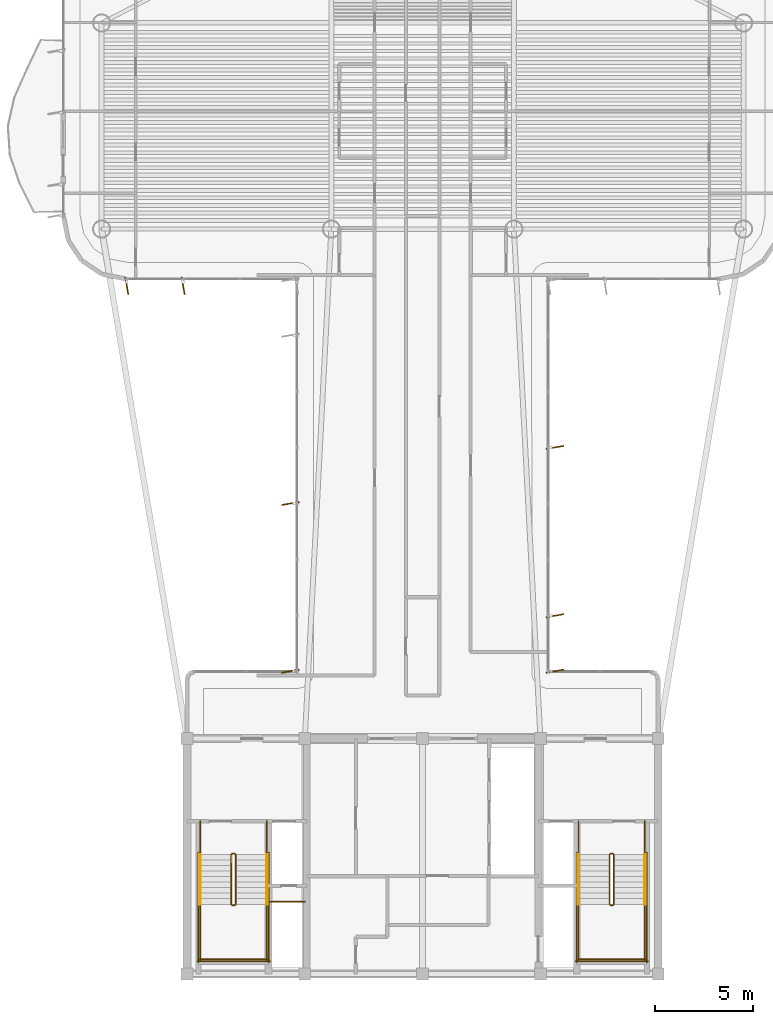
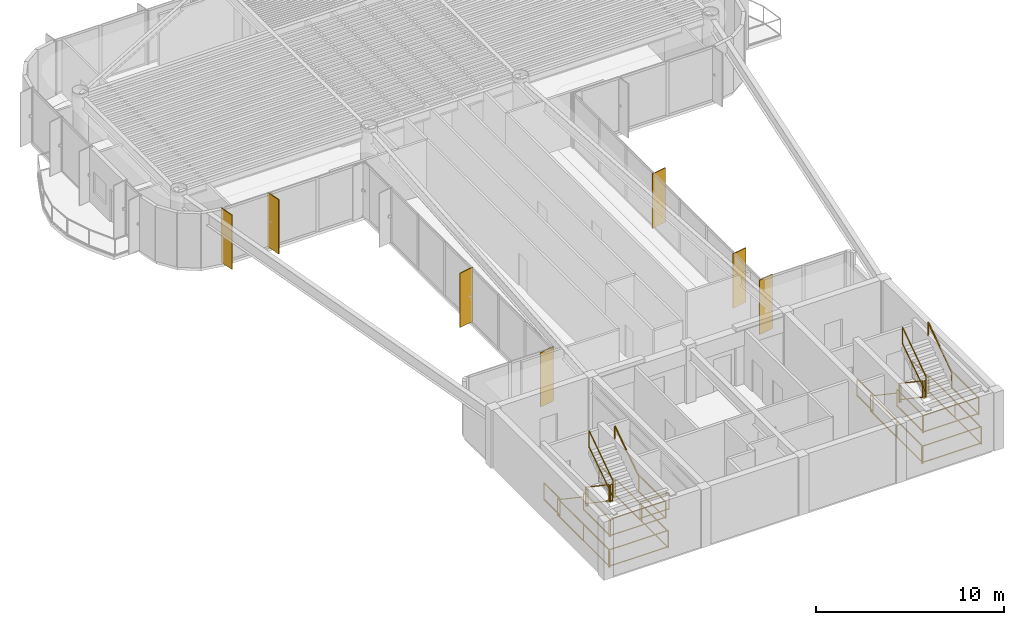
# One storey, part 15 of 16: 29 railings, 7 shading devices.
"""IFC4 building model written with IfcOpenShell, lengths in metres."""

import ifcopenshell
import ifcopenshell.guid

model = None  # the IFC model being written
_history = None  # IfcOwnerHistory: only IFC2X3 demands one
_inside = {}  # id of a spatial element -> (the spatial element, [elements in it])
_under = {}  # id of a project, library or spatial element -> (it, [spatial elements below it])
_declared = {}  # id of a project -> (the project, [libraries it declares])
_typed = {}  # id of a type object -> (the type object, [elements of that type])
_made_of = {}  # id of a material, layer set ... -> (it, [elements and type objects made of it])


def new_model(schema):
    """Start an empty IFC model of exactly this schema.

    Asked for "IFC4X3", IfcOpenShell would pick the latest addendum, in which some entities
    have other attributes; the version numbers below select the first issue.
    IFC2X3 requires an IfcOwnerHistory on every rooted entity: one is made here for all.
    """
    global model, _history
    if schema == "IFC4X3":
        model = ifcopenshell.file(schema_version=(4, 3, 0, 0))
    else:
        model = ifcopenshell.file(schema=schema)
    _inside.clear()
    _under.clear()
    _declared.clear()
    _typed.clear()
    _made_of.clear()
    _history = None
    if model.schema == "IFC2X3":
        org = make("IfcOrganization", Name="unknown")
        user = make(
            "IfcPersonAndOrganization",
            ThePerson=make("IfcPerson", FamilyName="unknown"),
            TheOrganization=org,
        )
        app = make(
            "IfcApplication",
            ApplicationDeveloper=org,
            Version="unknown",
            ApplicationFullName="unknown",
            ApplicationIdentifier="unknown",
        )
        _history = make(
            "IfcOwnerHistory",
            OwningUser=user,
            OwningApplication=app,
            ChangeAction="ADDED",
            CreationDate=0,
        )
    return model


def make(cls, **values):
    """One entity of the class cls with the attributes given. An attribute that is None is left unset."""
    return model.create_entity(
        cls, **{name: value for name, value in values.items() if value is not None}
    )


def rooted(cls, **values):
    """An entity with a GlobalId (a new one), such as an element, a storey or a relation."""
    return make(cls, GlobalId=ifcopenshell.guid.new(), OwnerHistory=_history, **values)


def si_unit(unit_type, name, prefix=None):
    """IfcSIUnit, for example si_unit("LENGTHUNIT", "METRE", prefix="MILLI")."""
    return make("IfcSIUnit", UnitType=unit_type, Prefix=prefix, Name=name)


def assignment(units):
    """IfcUnitAssignment: the units of a project."""
    return None if units is None else make("IfcUnitAssignment", Units=units)


def point(xyz):
    """IfcCartesianPoint."""
    return None if xyz is None else make("IfcCartesianPoint", Coordinates=xyz)


def direction(xyz):
    """IfcDirection."""
    return None if xyz is None else make("IfcDirection", DirectionRatios=xyz)


def frame(location, z_axis=None, x_axis=None):
    """IfcAxis2Placement3D, a coordinate frame: its origin and axes. An axis left out is left unset."""
    return make(
        "IfcAxis2Placement3D",
        Location=point(location),
        Axis=direction(z_axis),
        RefDirection=direction(x_axis),
    )


def frame_2d(location, x_axis=None):
    """IfcAxis2Placement2D, a coordinate frame in the plane: its origin and x axis."""
    return make(
        "IfcAxis2Placement2D", Location=point(location), RefDirection=direction(x_axis)
    )


def origin():
    """The frame at (0, 0, 0) with its axes left unset."""
    return frame((0.0, 0.0, 0.0))


def origin_2d():
    """The frame at (0, 0) in the plane with its x axis left unset."""
    return frame_2d((0.0, 0.0))


def place(relative_to, where):
    """IfcLocalPlacement: puts the frame where relative to a parent placement (None: the world)."""
    return make(
        "IfcLocalPlacement", PlacementRelTo=relative_to, RelativePlacement=where
    )


def context(
    kind, dimensions, precision=None, world=None, true_north=None, identifier=None
):
    """IfcGeometricRepresentationContext, for example the 3D "Model" context."""
    return make(
        "IfcGeometricRepresentationContext",
        ContextIdentifier=identifier,
        ContextType=kind,
        CoordinateSpaceDimension=dimensions,
        Precision=precision,
        WorldCoordinateSystem=world,
        TrueNorth=true_north,
    )


def subcontext(parent, identifier, kind, view, scale=None):
    """IfcGeometricRepresentationSubContext, for example "Body" below "Model"."""
    return make(
        "IfcGeometricRepresentationSubContext",
        ContextIdentifier=identifier,
        ContextType=kind,
        ParentContext=parent,
        TargetScale=scale,
        TargetView=view,
    )


def project(units=None, contexts=None):
    """IfcProject with its units and contexts."""
    return rooted(
        "IfcProject",
        Name="project",
        RepresentationContexts=contexts,
        UnitsInContext=assignment(units),
    )


def spatial(cls, under=None, at=None, **own):
    """A site, building, storey or space (cls), placed at a placement, below another one or the project."""
    s = rooted(cls, ObjectPlacement=at, **own)
    if under is not None:
        _under.setdefault(under.id(), (under, []))[1].append(s)
    return s


def profile(cls, at=None, kind="AREA", **sizes):
    """A parametric profile (cls). Its sizes go by their IFC names, for example OverallWidth=200.0."""
    return make(cls, ProfileType=kind, Position=at, **sizes)


def rectangle(**sizes):
    """IfcRectangleProfileDef."""
    return profile("IfcRectangleProfileDef", **sizes)


def extrude(swept, where, along, depth):
    """IfcExtrudedAreaSolid: the profile swept, set in the frame where, extruded along a direction by depth."""
    return make(
        "IfcExtrudedAreaSolid",
        SweptArea=swept,
        Position=where,
        ExtrudedDirection=direction(along),
        Depth=depth,
    )


def shape(context_of_items, identifier, shape_type, items):
    """IfcShapeRepresentation: the items that make up one representation, for example the "Body"."""
    return make(
        "IfcShapeRepresentation",
        ContextOfItems=context_of_items,
        RepresentationIdentifier=identifier,
        RepresentationType=shape_type,
        Items=items,
    )


def source(mapping_origin, context_of_items, identifier, shape_type, items):
    """IfcRepresentationMap: a shape defined once, which mapped items show again and again."""
    return make(
        "IfcRepresentationMap",
        MappingOrigin=mapping_origin,
        MappedRepresentation=shape(context_of_items, identifier, shape_type, items),
    )


def transform(
    local_origin,
    x_axis=None,
    y_axis=None,
    z_axis=None,
    scale=None,
    scale2=None,
    scale3=None,
    uniform=True,
):
    """IfcCartesianTransformationOperator3D, or its non-uniform kind. x_axis, y_axis, z_axis: its Axis1, 2, 3."""
    if uniform:
        return make(
            "IfcCartesianTransformationOperator3D",
            Axis1=direction(x_axis),
            Axis2=direction(y_axis),
            LocalOrigin=point(local_origin),
            Scale=scale,
            Axis3=direction(z_axis),
        )
    return make(
        "IfcCartesianTransformationOperator3DnonUniform",
        Axis1=direction(x_axis),
        Axis2=direction(y_axis),
        LocalOrigin=point(local_origin),
        Scale=scale,
        Axis3=direction(z_axis),
        Scale2=scale2,
        Scale3=scale3,
    )


def mapped(mapping_source, mapping_target):
    """IfcMappedItem: shows the shape of a source again, moved by a transform."""
    return make(
        "IfcMappedItem", MappingSource=mapping_source, MappingTarget=mapping_target
    )


def material(Name=None, Category=None):
    """IfcMaterial."""
    return make("IfcMaterial", Name=Name, Category=Category)


def layer(
    of_material, thickness, ventilated=None, Name=None, Category=None, Priority=None
):
    """IfcMaterialLayer: one layer of a wall or slab, of a material (None: an air gap)."""
    return make(
        "IfcMaterialLayer",
        Material=of_material,
        LayerThickness=thickness,
        IsVentilated=ventilated,
        Name=Name,
        Category=Category,
        Priority=Priority,
    )


def layer_set(layers, Name=None):
    """IfcMaterialLayerSet."""
    return make("IfcMaterialLayerSet", MaterialLayers=layers, LayerSetName=Name)


def material_profile(
    of_material, cross_section, Name=None, Category=None, Priority=None
):
    """IfcMaterialProfile: a cross section and its material."""
    return make(
        "IfcMaterialProfile",
        Name=Name,
        Material=of_material,
        Profile=cross_section,
        Priority=Priority,
        Category=Category,
    )


def profile_set(profiles, Name=None, composite=None):
    """IfcMaterialProfileSet."""
    return make(
        "IfcMaterialProfileSet",
        Name=Name,
        MaterialProfiles=profiles,
        CompositeProfile=composite,
    )


def made_of(thing, what):
    """Note that an element or type object is made of a material, layer set ...; save() writes the relation."""
    if what is not None:
        _made_of.setdefault(what.id(), (what, []))[1].append(thing)
    return thing


def type_object(cls, material=None, **own):
    """A type object (cls), such as IfcWallType, which elements share."""
    return made_of(rooted(cls, **own), material)


def element(
    cls,
    number,
    at=None,
    inside=None,
    cuts=None,
    type_object=None,
    material=None,
    context=None,
    identifier="Body",
    shape_type=None,
    held_by="IfcProductDefinitionShape",
    body=None,
    shapes=None,
    **own,
):
    """One element of the class cls, such as IfcWall. Its Tag is "e" and its number.

    at: its placement. inside: the storey or other place that contains it. cuts: it is an
    opening in that element (IfcRelVoidsElement). A single representation is given by context,
    identifier, shape_type and body (its items); several are given by shapes. held_by: the class
    of the entity that holds the representations. save() writes the other relations.
    """
    e = rooted(cls, Tag="e%d" % number, ObjectPlacement=at, **own)
    if body is not None:
        shapes = [shape(context, identifier, shape_type, body)]
    if shapes is not None:
        e.Representation = make(held_by, Representations=shapes)
    if inside is not None:
        _inside.setdefault(inside.id(), (inside, []))[1].append(e)
    if cuts is not None:
        rooted(
            "IfcRelVoidsElement", RelatingBuildingElement=cuts, RelatedOpeningElement=e
        )
    if type_object is not None:
        _typed.setdefault(type_object.id(), (type_object, []))[1].append(e)
    return made_of(e, material)


def aggregate(whole, parts):
    """IfcRelAggregates: a whole, such as a stair, and the parts it consists of."""
    return rooted("IfcRelAggregates", RelatingObject=whole, RelatedObjects=parts)


def save(model, path):
    """Write the relations noted so far, then the file.

    IfcRelAggregates (storeys below a building ...), IfcRelContainedInSpatialStructure (elements
    in a storey), IfcRelDefinesByType, IfcRelAssociatesMaterial and IfcRelDeclares: one each for
    every whole, place, type object, material and project.
    """
    for whole, parts in _under.values():
        aggregate(whole, parts)
    for where, things in _inside.values():
        rooted(
            "IfcRelContainedInSpatialStructure",
            RelatedElements=things,
            RelatingStructure=where,
        )
    for kind, things in _typed.values():
        rooted("IfcRelDefinesByType", RelatedObjects=things, RelatingType=kind)
    for what, things in _made_of.values():
        rooted("IfcRelAssociatesMaterial", RelatedObjects=things, RelatingMaterial=what)
    for by, libraries in _declared.values():
        rooted("IfcRelDeclares", RelatingContext=by, RelatedDefinitions=libraries)
    model.write(path)


model = new_model("IFC4")

# Units and contexts
model_context = context("Model", 3, precision=1e-05, world=origin(), true_north=direction((0.0, 1.0)))
body_context = subcontext(model_context, "Body", "Model", "MODEL_VIEW")
ifc_project = project(units=[si_unit("LENGTHUNIT", "METRE"), si_unit("AREAUNIT", "SQUARE_METRE"), si_unit("VOLUMEUNIT", "CUBIC_METRE"), si_unit("PLANEANGLEUNIT", "RADIAN"), si_unit("MASSUNIT", "GRAM", prefix="KILO")], contexts=[model_context])

# Site, building, storey
site_placement = place(None, origin())
site = spatial("IfcSite", under=ifc_project, at=site_placement, CompositionType="ELEMENT")
building_placement = place(site_placement, origin())
building = spatial("IfcBuilding", under=site, at=building_placement, Name="Brelvock Crest Care Tower", CompositionType="ELEMENT")
storey_placement = place(building_placement, frame((0.0, 0.0, 226.800048828125)))
storey = spatial("IfcBuildingStorey", under=building, at=storey_placement, Name="L57", CompositionType="ELEMENT", Elevation=226.800048828125)

# Railings
ifc_material_1 = material(Name="Steel Grade 350", Category="steel")
ifc_layer_1 = layer(ifc_material_1, 0.050048828125, Name="RL-STG1")
ifc_layer_set_1 = layer_set([ifc_layer_1], Name="Steel Grade 350")
railing_type_1 = type_object("IfcRailingType", Name="RL-STG1", PredefinedType="GUARDRAIL", material=ifc_layer_set_1)
railing_1_placement = place(storey_placement, frame((26.260009765625, 12.080078125, 0.18896484375)))
element("IfcRailing", 1, at=railing_1_placement, inside=storey, type_object=railing_type_1, Name="L57 ST-1 stair guard 1", PredefinedType="GUARDRAIL", context=body_context, shape_type="SweptSolid", body=[
    extrude(rectangle(XDim=0.048095703125, YDim=0.048095703125, at=origin_2d()), frame((0.0, -0.001708984375, 1.116943359375), z_axis=(0.0, -0.828861706735, 0.559453546873), x_axis=(1.0, 0.0, 0.0)), (0.0, 0.0, 1.0), 3.036376953125),
    extrude(rectangle(XDim=0.048095703125, YDim=0.048095703125, at=origin_2d()), frame((0.0, -0.001708984375, 0.05615234375), z_axis=(0.0, -0.828861706735, 0.559453546873), x_axis=(1.0, 0.0, 0.0)), (0.0, 0.0, 1.0), 3.036376953125),
    extrude(rectangle(XDim=0.0419921875, YDim=0.0419921875, at=origin_2d()), origin(), (0.0, 0.0, 1.0), 1.08984375),
    extrude(rectangle(XDim=0.0419921875, YDim=0.0419921875, at=origin_2d()), frame((0.0, -2.52001953125, 1.700927734375)), (0.0, 0.0, 1.0), 1.08984375),
])
railing_2_placement = place(storey_placement, frame((26.31005859375, 9.510009765625, 1.889892578125)))
element("IfcRailing", 2, at=railing_2_placement, inside=storey, type_object=railing_type_1, Name="L57 ST-1 stair guard 2", PredefinedType="GUARDRAIL", context=body_context, shape_type="SweptSolid", body=[
    extrude(rectangle(XDim=0.048095703125, YDim=0.048095703125, at=origin_2d()), frame((0.001953125, 0.0, 1.11572265625), z_axis=(1.0, 0.0, 0.0), x_axis=(0.0, 1.0, 0.0)), (0.0, 0.0, 1.0), 0.115966796875),
    extrude(rectangle(XDim=0.048095703125, YDim=0.048095703125, at=origin_2d()), frame((0.001953125, 0.0, 0.054931640625), z_axis=(1.0, 0.0, 0.0), x_axis=(0.0, 1.0, 0.0)), (0.0, 0.0, 1.0), 0.115966796875),
    extrude(rectangle(XDim=0.0419921875, YDim=0.0419921875, at=origin_2d()), origin(), (0.0, 0.0, 1.0), 1.08984375),
    extrude(rectangle(XDim=0.0419921875, YDim=0.0419921875, at=origin_2d()), frame((0.119873046875, 0.0, 0.0)), (0.0, 0.0, 1.0), 1.08984375),
])
for number, where, name in (
    (3, (24.679931640625, 9.56005859375, 1.889892578125), "L57 ST-1 stair guard 3"),
    (4, (28.06005859375, 9.56005859375, 1.889892578125), "L57 ST-1 stair guard 4"),
):
    element("IfcRailing", number, at=place(storey_placement, frame(where)), inside=storey, type_object=railing_type_1, Name=name, PredefinedType="GUARDRAIL", context=body_context, shape_type="SweptSolid", body=[
        extrude(rectangle(XDim=0.048095703125, YDim=0.048095703125, at=origin_2d()), frame((0.0, -0.001953125, 1.11572265625), z_axis=(0.0, -1.0, 0.0), x_axis=(1.0, 0.0, 0.0)), (0.0, 0.0, 1.0), 2.856201171875),
        extrude(rectangle(XDim=0.048095703125, YDim=0.048095703125, at=origin_2d()), frame((0.0, -0.001953125, 0.054931640625), z_axis=(0.0, -1.0, 0.0), x_axis=(1.0, 0.0, 0.0)), (0.0, 0.0, 1.0), 2.856201171875),
        extrude(rectangle(XDim=0.0419921875, YDim=0.0419921875, at=origin_2d()), origin(), (0.0, 0.0, 1.0), 1.08984375),
        extrude(rectangle(XDim=0.0419921875, YDim=0.0419921875, at=origin_2d()), frame((0.0, -2.860107421875, 0.0)), (0.0, 0.0, 1.0), 1.08984375),
    ])
railing_3_placement = place(storey_placement, frame((24.6298828125, 6.75, 1.889892578125)))
element("IfcRailing", 5, at=railing_3_placement, inside=storey, type_object=railing_type_1, Name="L57 ST-1 stair guard 5", PredefinedType="GUARDRAIL", context=body_context, shape_type="SweptSolid", body=[
    extrude(rectangle(XDim=0.048095703125, YDim=0.048095703125, at=origin_2d()), frame((0.001953125, 0.0, 1.11572265625), z_axis=(1.0, 0.0, 0.0), x_axis=(0.0, 1.0, 0.0)), (0.0, 0.0, 1.0), 3.476318359375),
    extrude(rectangle(XDim=0.048095703125, YDim=0.048095703125, at=origin_2d()), frame((0.001953125, 0.0, 0.054931640625), z_axis=(1.0, 0.0, 0.0), x_axis=(0.0, 1.0, 0.0)), (0.0, 0.0, 1.0), 3.476318359375),
    extrude(rectangle(XDim=0.0419921875, YDim=0.0419921875, at=origin_2d()), origin(), (0.0, 0.0, 1.0), 1.08984375),
    extrude(rectangle(XDim=0.0419921875, YDim=0.0419921875, at=origin_2d()), frame((3.480224609375, 0.0, 0.0)), (0.0, 0.0, 1.0), 1.08984375),
])
railing_4_placement = place(storey_placement, frame((26.47998046875, 9.56005859375, 2.078857421875)))
element("IfcRailing", 6, at=railing_4_placement, inside=storey, type_object=railing_type_1, Name="L57 ST-1 stair guard 6", PredefinedType="GUARDRAIL", context=body_context, shape_type="SweptSolid", body=[
    extrude(rectangle(XDim=0.048095703125, YDim=0.048095703125, at=origin_2d()), frame((0.0, 0.001708984375, 1.116943359375), z_axis=(0.0, 0.82882447046, 0.559508710537), x_axis=(-1.0, 0.0, 0.0)), (0.0, 0.0, 1.0), 3.036376953125),
    extrude(rectangle(XDim=0.048095703125, YDim=0.048095703125, at=origin_2d()), frame((0.0, 0.001708984375, 0.05615234375), z_axis=(0.0, 0.82882447046, 0.559508710537), x_axis=(-1.0, 0.0, 0.0)), (0.0, 0.0, 1.0), 3.036376953125),
    extrude(rectangle(XDim=0.0419921875, YDim=0.0419921875, at=origin_2d()), origin(), (0.0, 0.0, 1.0), 1.08984375),
    extrude(rectangle(XDim=0.0419921875, YDim=0.0419921875, at=origin_2d()), frame((0.0, 2.52001953125, 1.701171875)), (0.0, 0.0, 1.0), 1.08984375),
])
railing_5_placement = place(storey_placement, frame((26.31005859375, 12.1298828125, 0.0)))
element("IfcRailing", 7, at=railing_5_placement, inside=storey, type_object=railing_type_1, Name="L57 ST-1 stair guard 7", PredefinedType="GUARDRAIL", context=body_context, shape_type="SweptSolid", body=[
    extrude(rectangle(XDim=0.048095703125, YDim=0.048095703125, at=origin_2d()), frame((0.001953125, 0.0, 1.11572265625), z_axis=(1.0, 0.0, 0.0), x_axis=(0.0, 1.0, 0.0)), (0.0, 0.0, 1.0), 0.115966796875),
    extrude(rectangle(XDim=0.048095703125, YDim=0.048095703125, at=origin_2d()), frame((0.001953125, 0.0, 0.054931640625), z_axis=(1.0, 0.0, 0.0), x_axis=(0.0, 1.0, 0.0)), (0.0, 0.0, 1.0), 0.115966796875),
    extrude(rectangle(XDim=0.0419921875, YDim=0.0419921875, at=origin_2d()), origin(), (0.0, 0.0, 1.0), 1.08984375),
    extrude(rectangle(XDim=0.0419921875, YDim=0.0419921875, at=origin_2d()), frame((0.119873046875, 0.0, 0.0)), (0.0, 0.0, 1.0), 1.08984375),
])
for number, where, name in (
    (8, (24.679931640625, 13.780029296875, 0.0), "L57 ST-1 stair guard 8"),
    (9, (28.06005859375, 13.780029296875, 0.0), "L57 ST-1 stair guard 9"),
):
    element("IfcRailing", number, at=place(storey_placement, frame(where)), inside=storey, type_object=railing_type_1, Name=name, PredefinedType="GUARDRAIL", context=body_context, shape_type="SweptSolid", body=[
        extrude(rectangle(XDim=0.048095703125, YDim=0.048095703125, at=origin_2d()), frame((0.0, -0.001953125, 1.11572265625), z_axis=(0.0, -1.0, 0.0), x_axis=(1.0, 0.0, 0.0)), (0.0, 0.0, 1.0), 1.696044921875),
        extrude(rectangle(XDim=0.048095703125, YDim=0.048095703125, at=origin_2d()), frame((0.0, -0.001953125, 0.054931640625), z_axis=(0.0, -1.0, 0.0), x_axis=(1.0, 0.0, 0.0)), (0.0, 0.0, 1.0), 1.696044921875),
        extrude(rectangle(XDim=0.0419921875, YDim=0.0419921875, at=origin_2d()), origin(), (0.0, 0.0, 1.0), 1.08984375),
        extrude(rectangle(XDim=0.0419921875, YDim=0.0419921875, at=origin_2d()), frame((0.0, -1.699951171875, 0.0)), (0.0, 0.0, 1.0), 1.08984375),
    ])
for number, where, name in (
    (10, (24.580078125, 12.179931640625, 0.0), "L57 ST-1 stair guard 10"),
    (11, (28.159912109375, 12.179931640625, 0.0), "L57 ST-1 stair guard 11"),
):
    element("IfcRailing", number, at=place(storey_placement, frame(where)), inside=storey, type_object=railing_type_1, Name=name, PredefinedType="GUARDRAIL", context=body_context, shape_type="SweptSolid", body=[
        extrude(rectangle(XDim=0.048095703125, YDim=0.048095703125, at=origin_2d()), frame((0.0, -0.001953125, 1.11572265625), z_axis=(0.0, -1.0, 0.0), x_axis=(1.0, 0.0, 0.0)), (0.0, 0.0, 1.0), 5.575927734375),
        extrude(rectangle(XDim=0.048095703125, YDim=0.048095703125, at=origin_2d()), frame((0.0, -0.001953125, 0.054931640625), z_axis=(0.0, -1.0, 0.0), x_axis=(1.0, 0.0, 0.0)), (0.0, 0.0, 1.0), 5.575927734375),
        extrude(rectangle(XDim=0.0419921875, YDim=0.0419921875, at=origin_2d()), origin(), (0.0, 0.0, 1.0), 1.08984375),
        extrude(rectangle(XDim=0.0419921875, YDim=0.0419921875, at=origin_2d()), frame((0.0, -2.7900390625, 0.0)), (0.0, 0.0, 1.0), 1.08984375),
        extrude(rectangle(XDim=0.0419921875, YDim=0.0419921875, at=origin_2d()), frame((0.0, -5.579833984375, 0.0)), (0.0, 0.0, 1.0), 1.08984375),
    ])
railing_6_placement = place(storey_placement, frame((24.530029296875, 6.64990234375, 0.0)))
element("IfcRailing", 12, at=railing_6_placement, inside=storey, type_object=railing_type_1, Name="L57 ST-1 stair guard 12", PredefinedType="GUARDRAIL", context=body_context, shape_type="SweptSolid", body=[
    extrude(rectangle(XDim=0.048095703125, YDim=0.048095703125, at=origin_2d()), frame((0.001953125, 0.0, 1.11572265625), z_axis=(1.0, 0.0, 0.0), x_axis=(0.0, 1.0, 0.0)), (0.0, 0.0, 1.0), 3.676025390625),
    extrude(rectangle(XDim=0.048095703125, YDim=0.048095703125, at=origin_2d()), frame((0.001953125, 0.0, 0.054931640625), z_axis=(1.0, 0.0, 0.0), x_axis=(0.0, 1.0, 0.0)), (0.0, 0.0, 1.0), 3.676025390625),
    extrude(rectangle(XDim=0.0419921875, YDim=0.0419921875, at=origin_2d()), origin(), (0.0, 0.0, 1.0), 1.08984375),
    extrude(rectangle(XDim=0.0419921875, YDim=0.0419921875, at=origin_2d()), frame((3.679931640625, 0.0, 0.0)), (0.0, 0.0, 1.0), 1.08984375),
])
railing_7_placement = place(storey_placement, frame((45.52001953125, 12.080078125, 0.18896484375)))
element("IfcRailing", 13, at=railing_7_placement, inside=storey, type_object=railing_type_1, Name="L57 ST-2 stair guard 1", PredefinedType="GUARDRAIL", context=body_context, shape_type="SweptSolid", body=[
    extrude(rectangle(XDim=0.048095703125, YDim=0.048095703125, at=origin_2d()), frame((0.0, -0.001708984375, 1.116943359375), z_axis=(0.0, -0.828861706735, 0.559453546873), x_axis=(1.0, 0.0, 0.0)), (0.0, 0.0, 1.0), 3.036376953125),
    extrude(rectangle(XDim=0.048095703125, YDim=0.048095703125, at=origin_2d()), frame((0.0, -0.001708984375, 0.05615234375), z_axis=(0.0, -0.828861706735, 0.559453546873), x_axis=(1.0, 0.0, 0.0)), (0.0, 0.0, 1.0), 3.036376953125),
    extrude(rectangle(XDim=0.0419921875, YDim=0.0419921875, at=origin_2d()), origin(), (0.0, 0.0, 1.0), 1.08984375),
    extrude(rectangle(XDim=0.0419921875, YDim=0.0419921875, at=origin_2d()), frame((0.0, -2.52001953125, 1.700927734375)), (0.0, 0.0, 1.0), 1.08984375),
])
railing_8_placement = place(storey_placement, frame((45.570068359375, 9.510009765625, 1.889892578125)))
element("IfcRailing", 14, at=railing_8_placement, inside=storey, type_object=railing_type_1, Name="L57 ST-2 stair guard 2", PredefinedType="GUARDRAIL", context=body_context, shape_type="SweptSolid", body=[
    extrude(rectangle(XDim=0.048095703125, YDim=0.048095703125, at=origin_2d()), frame((0.001953125, 0.0, 1.11572265625), z_axis=(1.0, 0.0, 0.0), x_axis=(0.0, 1.0, 0.0)), (0.0, 0.0, 1.0), 0.115966796875),
    extrude(rectangle(XDim=0.048095703125, YDim=0.048095703125, at=origin_2d()), frame((0.001953125, 0.0, 0.054931640625), z_axis=(1.0, 0.0, 0.0), x_axis=(0.0, 1.0, 0.0)), (0.0, 0.0, 1.0), 0.115966796875),
    extrude(rectangle(XDim=0.0419921875, YDim=0.0419921875, at=origin_2d()), origin(), (0.0, 0.0, 1.0), 1.08984375),
    extrude(rectangle(XDim=0.0419921875, YDim=0.0419921875, at=origin_2d()), frame((0.119873046875, 0.0, 0.0)), (0.0, 0.0, 1.0), 1.08984375),
])
for number, where, name in (
    (15, (43.93994140625, 9.56005859375, 1.889892578125), "L57 ST-2 stair guard 3"),
    (16, (47.320068359375, 9.56005859375, 1.889892578125), "L57 ST-2 stair guard 4"),
):
    element("IfcRailing", number, at=place(storey_placement, frame(where)), inside=storey, type_object=railing_type_1, Name=name, PredefinedType="GUARDRAIL", context=body_context, shape_type="SweptSolid", body=[
        extrude(rectangle(XDim=0.048095703125, YDim=0.048095703125, at=origin_2d()), frame((0.0, -0.001953125, 1.11572265625), z_axis=(0.0, -1.0, 0.0), x_axis=(1.0, 0.0, 0.0)), (0.0, 0.0, 1.0), 2.856201171875),
        extrude(rectangle(XDim=0.048095703125, YDim=0.048095703125, at=origin_2d()), frame((0.0, -0.001953125, 0.054931640625), z_axis=(0.0, -1.0, 0.0), x_axis=(1.0, 0.0, 0.0)), (0.0, 0.0, 1.0), 2.856201171875),
        extrude(rectangle(XDim=0.0419921875, YDim=0.0419921875, at=origin_2d()), origin(), (0.0, 0.0, 1.0), 1.08984375),
        extrude(rectangle(XDim=0.0419921875, YDim=0.0419921875, at=origin_2d()), frame((0.0, -2.860107421875, 0.0)), (0.0, 0.0, 1.0), 1.08984375),
    ])
railing_9_placement = place(storey_placement, frame((43.889892578125, 6.75, 1.889892578125)))
element("IfcRailing", 17, at=railing_9_placement, inside=storey, type_object=railing_type_1, Name="L57 ST-2 stair guard 5", PredefinedType="GUARDRAIL", context=body_context, shape_type="SweptSolid", body=[
    extrude(rectangle(XDim=0.048095703125, YDim=0.048095703125, at=origin_2d()), frame((0.001953125, 0.0, 1.11572265625), z_axis=(1.0, 0.0, 0.0), x_axis=(0.0, 1.0, 0.0)), (0.0, 0.0, 1.0), 3.476318359375),
    extrude(rectangle(XDim=0.048095703125, YDim=0.048095703125, at=origin_2d()), frame((0.001953125, 0.0, 0.054931640625), z_axis=(1.0, 0.0, 0.0), x_axis=(0.0, 1.0, 0.0)), (0.0, 0.0, 1.0), 3.476318359375),
    extrude(rectangle(XDim=0.0419921875, YDim=0.0419921875, at=origin_2d()), origin(), (0.0, 0.0, 1.0), 1.08984375),
    extrude(rectangle(XDim=0.0419921875, YDim=0.0419921875, at=origin_2d()), frame((3.480224609375, 0.0, 0.0)), (0.0, 0.0, 1.0), 1.08984375),
])
railing_10_placement = place(storey_placement, frame((45.739990234375, 9.56005859375, 2.078857421875)))
element("IfcRailing", 18, at=railing_10_placement, inside=storey, type_object=railing_type_1, Name="L57 ST-2 stair guard 6", PredefinedType="GUARDRAIL", context=body_context, shape_type="SweptSolid", body=[
    extrude(rectangle(XDim=0.048095703125, YDim=0.048095703125, at=origin_2d()), frame((0.0, 0.001708984375, 1.116943359375), z_axis=(0.0, 0.82882447046, 0.559508710537), x_axis=(-1.0, 0.0, 0.0)), (0.0, 0.0, 1.0), 3.036376953125),
    extrude(rectangle(XDim=0.048095703125, YDim=0.048095703125, at=origin_2d()), frame((0.0, 0.001708984375, 0.05615234375), z_axis=(0.0, 0.82882447046, 0.559508710537), x_axis=(-1.0, 0.0, 0.0)), (0.0, 0.0, 1.0), 3.036376953125),
    extrude(rectangle(XDim=0.0419921875, YDim=0.0419921875, at=origin_2d()), origin(), (0.0, 0.0, 1.0), 1.08984375),
    extrude(rectangle(XDim=0.0419921875, YDim=0.0419921875, at=origin_2d()), frame((0.0, 2.52001953125, 1.701171875)), (0.0, 0.0, 1.0), 1.08984375),
])
railing_11_placement = place(storey_placement, frame((45.570068359375, 12.1298828125, 0.0)))
element("IfcRailing", 19, at=railing_11_placement, inside=storey, type_object=railing_type_1, Name="L57 ST-2 stair guard 7", PredefinedType="GUARDRAIL", context=body_context, shape_type="SweptSolid", body=[
    extrude(rectangle(XDim=0.048095703125, YDim=0.048095703125, at=origin_2d()), frame((0.001953125, 0.0, 1.11572265625), z_axis=(1.0, 0.0, 0.0), x_axis=(0.0, 1.0, 0.0)), (0.0, 0.0, 1.0), 0.115966796875),
    extrude(rectangle(XDim=0.048095703125, YDim=0.048095703125, at=origin_2d()), frame((0.001953125, 0.0, 0.054931640625), z_axis=(1.0, 0.0, 0.0), x_axis=(0.0, 1.0, 0.0)), (0.0, 0.0, 1.0), 0.115966796875),
    extrude(rectangle(XDim=0.0419921875, YDim=0.0419921875, at=origin_2d()), origin(), (0.0, 0.0, 1.0), 1.08984375),
    extrude(rectangle(XDim=0.0419921875, YDim=0.0419921875, at=origin_2d()), frame((0.119873046875, 0.0, 0.0)), (0.0, 0.0, 1.0), 1.08984375),
])
for number, where, name in (
    (20, (43.93994140625, 13.780029296875, 0.0), "L57 ST-2 stair guard 8"),
    (21, (47.320068359375, 13.780029296875, 0.0), "L57 ST-2 stair guard 9"),
):
    element("IfcRailing", number, at=place(storey_placement, frame(where)), inside=storey, type_object=railing_type_1, Name=name, PredefinedType="GUARDRAIL", context=body_context, shape_type="SweptSolid", body=[
        extrude(rectangle(XDim=0.048095703125, YDim=0.048095703125, at=origin_2d()), frame((0.0, -0.001953125, 1.11572265625), z_axis=(0.0, -1.0, 0.0), x_axis=(1.0, 0.0, 0.0)), (0.0, 0.0, 1.0), 1.696044921875),
        extrude(rectangle(XDim=0.048095703125, YDim=0.048095703125, at=origin_2d()), frame((0.0, -0.001953125, 0.054931640625), z_axis=(0.0, -1.0, 0.0), x_axis=(1.0, 0.0, 0.0)), (0.0, 0.0, 1.0), 1.696044921875),
        extrude(rectangle(XDim=0.0419921875, YDim=0.0419921875, at=origin_2d()), origin(), (0.0, 0.0, 1.0), 1.08984375),
        extrude(rectangle(XDim=0.0419921875, YDim=0.0419921875, at=origin_2d()), frame((0.0, -1.699951171875, 0.0)), (0.0, 0.0, 1.0), 1.08984375),
    ])
for number, where, name in (
    (22, (43.840087890625, 12.179931640625, 0.0), "L57 ST-2 stair guard 10"),
    (23, (47.419921875, 12.179931640625, 0.0), "L57 ST-2 stair guard 11"),
):
    element("IfcRailing", number, at=place(storey_placement, frame(where)), inside=storey, type_object=railing_type_1, Name=name, PredefinedType="GUARDRAIL", context=body_context, shape_type="SweptSolid", body=[
        extrude(rectangle(XDim=0.048095703125, YDim=0.048095703125, at=origin_2d()), frame((0.0, -0.001953125, 1.11572265625), z_axis=(0.0, -1.0, 0.0), x_axis=(1.0, 0.0, 0.0)), (0.0, 0.0, 1.0), 5.575927734375),
        extrude(rectangle(XDim=0.048095703125, YDim=0.048095703125, at=origin_2d()), frame((0.0, -0.001953125, 0.054931640625), z_axis=(0.0, -1.0, 0.0), x_axis=(1.0, 0.0, 0.0)), (0.0, 0.0, 1.0), 5.575927734375),
        extrude(rectangle(XDim=0.0419921875, YDim=0.0419921875, at=origin_2d()), origin(), (0.0, 0.0, 1.0), 1.08984375),
        extrude(rectangle(XDim=0.0419921875, YDim=0.0419921875, at=origin_2d()), frame((0.0, -2.7900390625, 0.0)), (0.0, 0.0, 1.0), 1.08984375),
        extrude(rectangle(XDim=0.0419921875, YDim=0.0419921875, at=origin_2d()), frame((0.0, -5.579833984375, 0.0)), (0.0, 0.0, 1.0), 1.08984375),
    ])
railing_12_placement = place(storey_placement, frame((43.7900390625, 6.64990234375, 0.0)))
element("IfcRailing", 24, at=railing_12_placement, inside=storey, type_object=railing_type_1, Name="L57 ST-2 stair guard 12", PredefinedType="GUARDRAIL", context=body_context, shape_type="SweptSolid", body=[
    extrude(rectangle(XDim=0.048095703125, YDim=0.048095703125, at=origin_2d()), frame((0.001953125, 0.0, 1.11572265625), z_axis=(1.0, 0.0, 0.0), x_axis=(0.0, 1.0, 0.0)), (0.0, 0.0, 1.0), 3.676025390625),
    extrude(rectangle(XDim=0.048095703125, YDim=0.048095703125, at=origin_2d()), frame((0.001953125, 0.0, 0.054931640625), z_axis=(1.0, 0.0, 0.0), x_axis=(0.0, 1.0, 0.0)), (0.0, 0.0, 1.0), 3.676025390625),
    extrude(rectangle(XDim=0.0419921875, YDim=0.0419921875, at=origin_2d()), origin(), (0.0, 0.0, 1.0), 1.08984375),
    extrude(rectangle(XDim=0.0419921875, YDim=0.0419921875, at=origin_2d()), frame((3.679931640625, 0.0, 0.0)), (0.0, 0.0, 1.0), 1.08984375),
])
railing_13_placement = place(storey_placement, frame((28.219970703125, 9.679931640625, 0.0)))
element("IfcRailing", 25, at=railing_13_placement, inside=storey, type_object=railing_type_1, Name="L57 Fire Riser Threshold Guard", PredefinedType="GUARDRAIL", context=body_context, shape_type="SweptSolid", body=[
    extrude(rectangle(XDim=0.048095703125, YDim=0.048095703125, at=origin_2d()), frame((0.001953125, 0.0, 1.11572265625), z_axis=(1.0, 0.0, 0.0), x_axis=(0.0, 1.0, 0.0)), (0.0, 0.0, 1.0), 1.776123046875),
    extrude(rectangle(XDim=0.048095703125, YDim=0.048095703125, at=origin_2d()), frame((0.001953125, 0.0, 0.054931640625), z_axis=(1.0, 0.0, 0.0), x_axis=(0.0, 1.0, 0.0)), (0.0, 0.0, 1.0), 1.776123046875),
    extrude(rectangle(XDim=0.0419921875, YDim=0.0419921875, at=origin_2d()), origin(), (0.0, 0.0, 1.0), 1.08984375),
    extrude(rectangle(XDim=0.0419921875, YDim=0.0419921875, at=origin_2d()), frame((1.780029296875, 0.0, 0.0)), (0.0, 0.0, 1.0), 1.08984375),
])
ifc_layer_2 = layer(ifc_material_1, 0.048095703125, Name="RL-STH1")
ifc_layer_set_2 = layer_set([ifc_layer_2], Name="Steel Grade 350")
railing_type_2 = type_object("IfcRailingType", Name="RL-STH1", PredefinedType="HANDRAIL", material=ifc_layer_set_2)
railing_14_placement = place(storey_placement, frame((24.679931640625, 12.080078125, 0.18896484375)))
element("IfcRailing", 26, at=railing_14_placement, inside=storey, type_object=railing_type_2, Name="L57 ST-1 stair handrail 1", PredefinedType="HANDRAIL", context=body_context, shape_type="SweptSolid", body=[
    extrude(rectangle(XDim=0.048095703125, YDim=0.048095703125, at=origin_2d()), frame((0.0, -0.001708984375, 0.876953125), z_axis=(0.0, -0.828861706735, 0.559453546873), x_axis=(1.0, 0.0, 0.0)), (0.0, 0.0, 1.0), 3.036376953125),
    extrude(rectangle(XDim=0.0419921875, YDim=0.0419921875, at=origin_2d()), origin(), (0.0, 0.0, 1.0), 0.849853515625),
    extrude(rectangle(XDim=0.0419921875, YDim=0.0419921875, at=origin_2d()), frame((0.0, -2.52001953125, 1.700927734375)), (0.0, 0.0, 1.0), 0.849853515625),
])
railing_15_placement = place(storey_placement, frame((28.06005859375, 9.56005859375, 2.078857421875)))
element("IfcRailing", 27, at=railing_15_placement, inside=storey, type_object=railing_type_2, Name="L57 ST-1 stair handrail 2", PredefinedType="HANDRAIL", context=body_context, shape_type="SweptSolid", body=[
    extrude(rectangle(XDim=0.048095703125, YDim=0.048095703125, at=origin_2d()), frame((0.0, 0.001708984375, 0.876953125), z_axis=(0.0, 0.82882447046, 0.559508710537), x_axis=(-1.0, 0.0, 0.0)), (0.0, 0.0, 1.0), 3.036376953125),
    extrude(rectangle(XDim=0.0419921875, YDim=0.0419921875, at=origin_2d()), origin(), (0.0, 0.0, 1.0), 0.849853515625),
    extrude(rectangle(XDim=0.0419921875, YDim=0.0419921875, at=origin_2d()), frame((0.0, 2.52001953125, 1.701171875)), (0.0, 0.0, 1.0), 0.849853515625),
])
railing_16_placement = place(storey_placement, frame((43.93994140625, 12.080078125, 0.18896484375)))
element("IfcRailing", 28, at=railing_16_placement, inside=storey, type_object=railing_type_2, Name="L57 ST-2 stair handrail 1", PredefinedType="HANDRAIL", context=body_context, shape_type="SweptSolid", body=[
    extrude(rectangle(XDim=0.048095703125, YDim=0.048095703125, at=origin_2d()), frame((0.0, -0.001708984375, 0.876953125), z_axis=(0.0, -0.828861706735, 0.559453546873), x_axis=(1.0, 0.0, 0.0)), (0.0, 0.0, 1.0), 3.036376953125),
    extrude(rectangle(XDim=0.0419921875, YDim=0.0419921875, at=origin_2d()), origin(), (0.0, 0.0, 1.0), 0.849853515625),
    extrude(rectangle(XDim=0.0419921875, YDim=0.0419921875, at=origin_2d()), frame((0.0, -2.52001953125, 1.700927734375)), (0.0, 0.0, 1.0), 0.849853515625),
])
railing_17_placement = place(storey_placement, frame((47.320068359375, 9.56005859375, 2.078857421875)))
element("IfcRailing", 29, at=railing_17_placement, inside=storey, type_object=railing_type_2, Name="L57 ST-2 stair handrail 2", PredefinedType="HANDRAIL", context=body_context, shape_type="SweptSolid", body=[
    extrude(rectangle(XDim=0.048095703125, YDim=0.048095703125, at=origin_2d()), frame((0.0, 0.001708984375, 0.876953125), z_axis=(0.0, 0.82882447046, 0.559508710537), x_axis=(-1.0, 0.0, 0.0)), (0.0, 0.0, 1.0), 3.036376953125),
    extrude(rectangle(XDim=0.0419921875, YDim=0.0419921875, at=origin_2d()), origin(), (0.0, 0.0, 1.0), 0.849853515625),
    extrude(rectangle(XDim=0.0419921875, YDim=0.0419921875, at=origin_2d()), frame((0.0, 2.52001953125, 1.701171875)), (0.0, 0.0, 1.0), 0.849853515625),
])

# Shading devices
ifc_material_2 = material(Name="Aluminium 6063-T6", Category="aluminium")
ifc_material_profile = material_profile(ifc_material_2, rectangle(XDim=0.054931640625, YDim=0.89990234375, at=origin_2d()), Name="FIN55x900")
ifc_profile_set = profile_set([ifc_material_profile], Name="Aluminium 6063-T6")
shading_device_type = type_object("IfcShadingDeviceType", Name="SHD-FIN1", PredefinedType="USERDEFINED", material=ifc_profile_set)
shared_shape = source(origin(), body_context, "Body", "SweptSolid", [
    extrude(rectangle(XDim=0.054931640625, YDim=0.89990234375, at=origin_2d()), origin(), (0.0, 0.0, 1.0), 3.530029296875),
])
for number, where, z_axis, x_axis, name in (
    (30, (29.260009765625, 21.429931640625, 0.0), (0.0, 0.0, 1.0), (-0.173648177667, 0.984807753012, 0.0), "L57 Vertical Sunshade Fin E11-01"),
    (31, (29.260009765625, 29.971435546875, 0.0), (0.0, 0.0, 1.0), (-0.173648177667, 0.984807753012, 0.0), "L57 Vertical Sunshade Fin E11-04"),
    (32, (23.800048828125, 41.06005859375, 0.0), (0.0, 0.0, 1.0), (-0.984807753012, -0.173648177667, 0.0), "L57 Vertical Sunshade Fin E12-03"),
    (33, (20.929931640625, 41.06005859375, 0.0), (0.0, 0.0, 1.0), (-0.984807753012, -0.173648177667, 0.0), "L57 Vertical Sunshade Fin E12-04"),
    (34, (42.739990234375, 32.82861328125, 0.0), (0.0, 0.0, 1.0), (0.173648177667, -0.984807753012, 0.0), "L57 Vertical Sunshade Fin E45-04"),
    (35, (42.739990234375, 24.257080078125, 0.0), (0.0, 0.0, 1.0), (0.173648177667, -0.984807753012, 0.0), "L57 Vertical Sunshade Fin E45-07"),
    (36, (42.739990234375, 21.429931640625, 0.0), (0.0, 0.0, 1.0), (0.173648177667, -0.984807753012, 0.0), "L57 Vertical Sunshade Fin E45-08"),
):
    element("IfcShadingDevice", number, at=place(storey_placement, frame(where, z_axis=z_axis, x_axis=x_axis)), inside=storey, type_object=shading_device_type, Name=name, ObjectType="FIN", PredefinedType="USERDEFINED", context=body_context, shape_type="MappedRepresentation", body=[
        mapped(shared_shape, transform((0.0, 0.0, 0.0), x_axis=(1.0, 0.0, 0.0), y_axis=(0.0, 1.0, 0.0), z_axis=(0.0, 0.0, 1.0), scale=1.0)),
    ])

save(model, "model.ifc")
